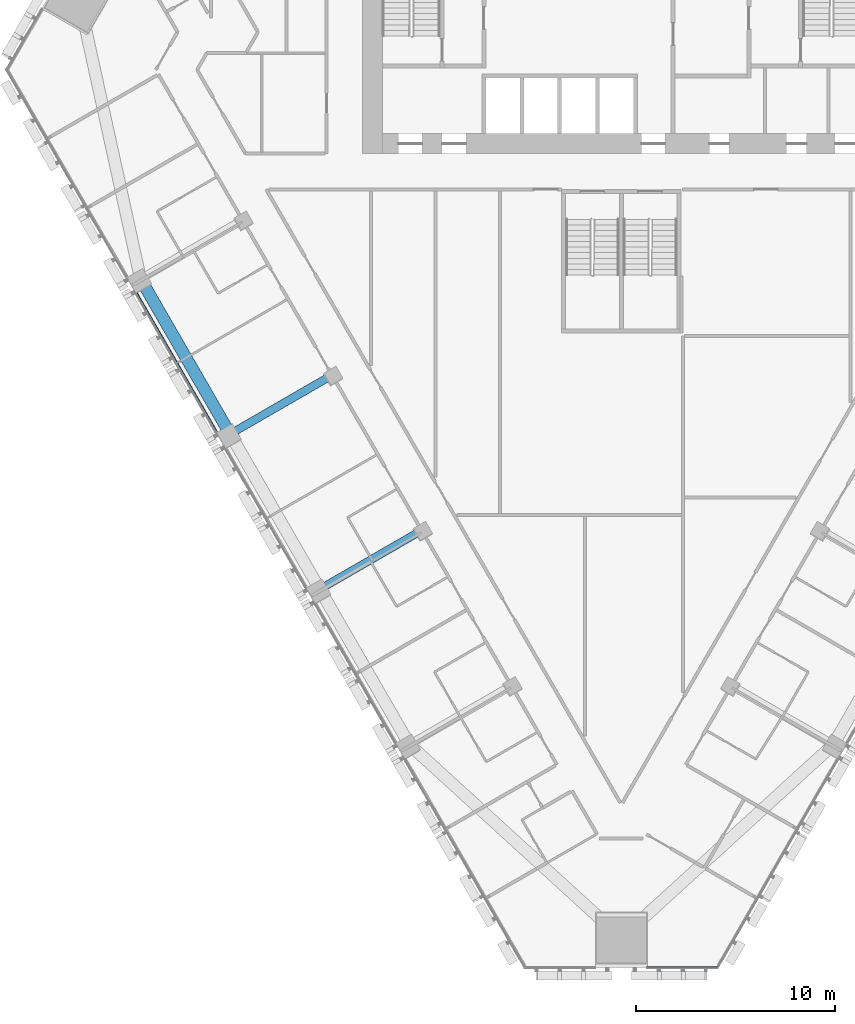
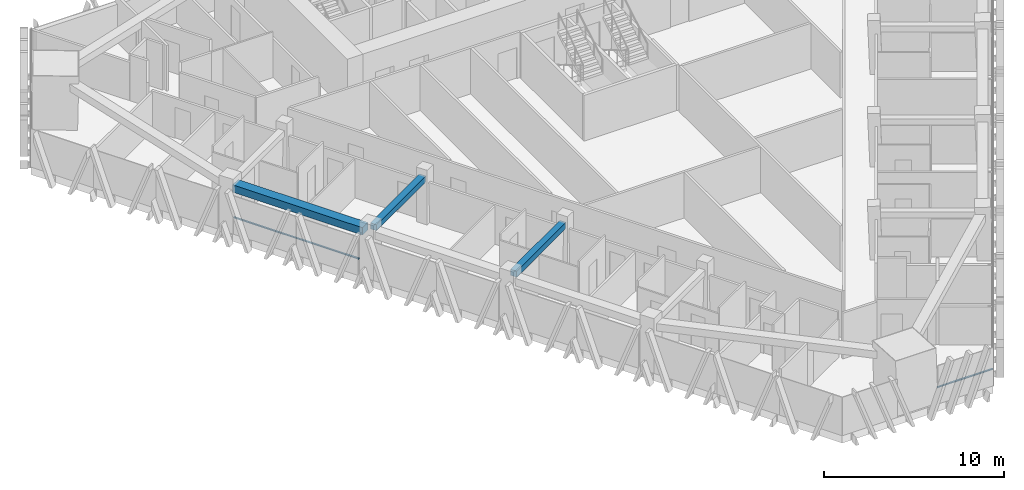
# One storey, part 3 of 18: 3 beams, 2 members, 2 elements without a shape of their own.
"""IFC4 building model written with IfcOpenShell, lengths in metres."""

from ifc_helpers import new_model, si_unit, direction, frame, origin, origin_2d, place, context, subcontext, project, spatial, rectangle, extrude, material, layer, layer_set, material_profile, profile_set, type_object, element, aggregate, save


model = new_model("IFC4")

# Units and contexts
model_context = context("Model", 3, precision=1e-05, world=origin(), true_north=direction((0.0, 1.0)))
body_context = subcontext(model_context, "Body", "Model", "MODEL_VIEW")
ifc_project = project(units=[si_unit("LENGTHUNIT", "METRE"), si_unit("AREAUNIT", "SQUARE_METRE"), si_unit("VOLUMEUNIT", "CUBIC_METRE"), si_unit("PLANEANGLEUNIT", "RADIAN"), si_unit("MASSUNIT", "GRAM", prefix="KILO")], contexts=[model_context])

# Site, building, storey
site_placement = place(None, origin())
site = spatial("IfcSite", under=ifc_project, at=site_placement, CompositionType="ELEMENT")
building_placement = place(site_placement, origin())
building = spatial("IfcBuilding", under=site, at=building_placement, Name="Altiplano Prism Tower", CompositionType="ELEMENT")
storey_placement = place(building_placement, frame((0.0, 0.0, 41.39990234375)))
storey = spatial("IfcBuildingStorey", under=building, at=storey_placement, Name="L09", CompositionType="ELEMENT", Elevation=41.39990234375)

# Curtain wall, member
ifc_material_1 = material(Name="Aluminium and glass", Category="aluminium")
ifc_layer = layer(ifc_material_1, 0.280029296875)
ifc_layer_set = layer_set([ifc_layer], Name="Aluminium and glass")
curtain_wall_type = type_object("IfcCurtainWallType", Name="CW1 typical co-living unitised curtain wall", PredefinedType="NOTDEFINED", material=ifc_layer_set)
curtain_wall_1_placement = place(storey_placement, origin())
curtain_wall_1 = element("IfcCurtainWall", 1, at=curtain_wall_1_placement, inside=storey, type_object=curtain_wall_type, Name="CW1 curtain wall south-west face L09", PredefinedType="NOTDEFINED")
ifc_material_2 = material(Name="Aluminium", Category="aluminium")
ifc_material_profile_1 = material_profile(ifc_material_2, rectangle(XDim=0.06005859375, YDim=0.080078125, at=origin_2d()), Name="CW1 transom 80 x 60")
ifc_profile_set_1 = profile_set([ifc_material_profile_1], Name="Aluminium")
member_type = type_object("IfcMemberType", Name="CW1 transom 80 x 60", PredefinedType="USERDEFINED", material=ifc_profile_set_1)
member_1_placement = place(storey_placement, frame((60.66943359375, 85.39013671875, 1.10009765625), z_axis=(0.499989486807, -0.866031473494, 0.0), x_axis=(0.866031473494, 0.499989486807, 0.0)))
member_1 = element("IfcMember", 2, at=member_1_placement, type_object=member_type, Name="CW1 transom", ObjectType="TRANSOM", PredefinedType="USERDEFINED", context=body_context, shape_type="SweptSolid", body=[
    extrude(rectangle(XDim=0.06005859375, YDim=0.080078125, at=origin_2d()), origin(), (0.0, 0.0, 1.0), 8.019775390625),
])
aggregate(curtain_wall_1, [member_1])

curtain_wall_2_placement = place(storey_placement, origin())
curtain_wall_2 = element("IfcCurtainWall", 3, at=curtain_wall_2_placement, inside=storey, type_object=curtain_wall_type, Name="CW1 curtain wall south chamfer L09", PredefinedType="NOTDEFINED")
member_2_placement = place(storey_placement, frame((86.300048828125, 51.572021484375, 1.10009765625), z_axis=(1.0, 0.0, 0.0), x_axis=(0.0, 1.0, 0.0)))
member_2 = element("IfcMember", 4, at=member_2_placement, type_object=member_type, Name="CW1 transom", ObjectType="TRANSOM", PredefinedType="USERDEFINED", context=body_context, shape_type="SweptSolid", body=[
    extrude(rectangle(XDim=0.06005859375, YDim=0.080078125, at=origin_2d()), origin(), (0.0, 0.0, 1.0), 3.5458984375),
])
aggregate(curtain_wall_2, [member_2])

# Beams
ifc_material_3 = material(Name="Concrete C60/75", Category="concrete")
ifc_material_profile_2 = material_profile(ifc_material_3, rectangle(XDim=0.60009765625, YDim=0.5, at=origin_2d()), Name="Edge beam 600x500")
ifc_profile_set_2 = profile_set([ifc_material_profile_2], Name="Concrete C60/75")
beam_type_1 = type_object("IfcBeamType", Name="Edge beam 600x500", PredefinedType="SPANDREL", material=ifc_profile_set_2)
beam_placement = place(storey_placement, frame((61.01806640625, 85.8232421875, 2.85009765625), z_axis=(0.500014701701, -0.866016915587, 0.0), x_axis=(0.866016915587, 0.500014701701, 0.0)))
element("IfcBeam", 5, at=beam_placement, inside=storey, type_object=beam_type_1, Name="Edge beam P11-P12 L10", PredefinedType="SPANDREL", context=body_context, shape_type="SweptSolid", body=[
    extrude(rectangle(XDim=0.60009765625, YDim=0.5, at=origin_2d()), origin(), (0.0, 0.0, 1.0), 8.340087890625),
])
ifc_material_profile_3 = material_profile(ifc_material_3, rectangle(XDim=0.39990234375, YDim=0.39990234375, at=origin_2d()), Name="Tie beam 400x400")
ifc_profile_set_3 = profile_set([ifc_material_profile_3], Name="Concrete C60/75")
beam_type_2 = type_object("IfcBeamType", Name="Tie beam 400x400", PredefinedType="BEAM", material=ifc_profile_set_3)
for number, where, z_axis, x_axis, name in (
    (6, (70.393310546875, 81.224853515625, 2.900146484375), (-0.866012292785, -0.50002270823, 0.0), (0.50002270823, -0.866012292785, 0.0), "Tie beam I12 L10"),
    (7, (74.893310546875, 73.4306640625, 2.900146484375), (-0.866012292785, -0.50002270823, 0.0), (0.50002270823, -0.866012292785, 0.0), "Tie beam I13 L10"),
):
    element("IfcBeam", number, at=place(storey_placement, frame(where, z_axis=z_axis, x_axis=x_axis)), inside=storey, type_object=beam_type_2, Name=name, PredefinedType="BEAM", context=body_context, shape_type="SweptSolid", body=[
        extrude(rectangle(XDim=0.39990234375, YDim=0.39990234375, at=origin_2d()), origin(), (0.0, 0.0, 1.0), 5.489990234375),
    ])

save(model, "model.ifc")
